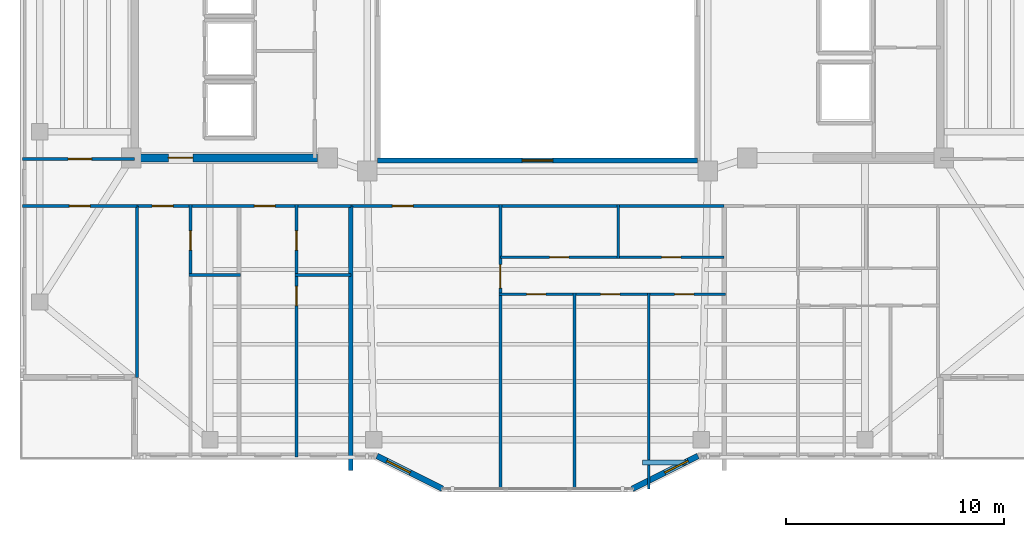
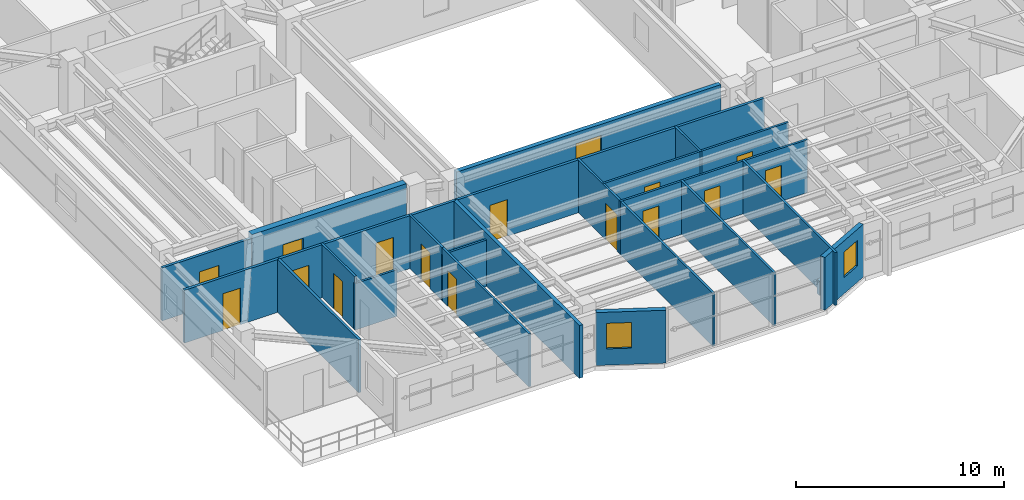
# One storey, part 6 of 15: 23 walls, 15 doors, 3 windows, 18 openings.
"""IFC4 building model written with IfcOpenShell, lengths in metres."""

from ifc_helpers import new_model, si_unit, direction, frame, frame_2d, origin, place, context, subcontext, project, spatial, rectangle, extrude, material, layer, layer_set, type_object, element, fill, save


model = new_model("IFC4")

# Units and contexts
model_context = context("Model", 3, precision=1e-05, world=origin(), true_north=direction((0.0, 1.0)))
body_context = subcontext(model_context, "Body", "Model", "MODEL_VIEW")
ifc_project = project(units=[si_unit("LENGTHUNIT", "METRE"), si_unit("AREAUNIT", "SQUARE_METRE"), si_unit("VOLUMEUNIT", "CUBIC_METRE"), si_unit("PLANEANGLEUNIT", "RADIAN"), si_unit("MASSUNIT", "GRAM", prefix="KILO")], contexts=[model_context])

# Site, building, storey
site_placement = place(None, origin())
site = spatial("IfcSite", under=ifc_project, at=site_placement, CompositionType="ELEMENT")
building_placement = place(site_placement, origin())
building = spatial("IfcBuilding", under=site, at=building_placement, Name="Tarnavaz Court Tower", CompositionType="ELEMENT")
storey_placement = place(building_placement, frame((0.0, 0.0, 186.89990234375)))
storey = spatial("IfcBuildingStorey", under=building, at=storey_placement, Name="L50", CompositionType="ELEMENT", Elevation=186.89990234375)

# Wall, opening, door
ifc_material_1 = material(Name="Concrete C50/60", Category="concrete")
ifc_layer_1 = layer(ifc_material_1, 0.35009765625)
ifc_layer_set_1 = layer_set([ifc_layer_1], Name="Concrete C50/60")
wall_type_1 = type_object("IfcWallType", Name="WL-CORE-350-C50", PredefinedType="SHEAR", material=ifc_layer_set_1)
wall_1_placement = place(storey_placement, frame((-18.625, -7.199951171875, 0.0), z_axis=(0.0, 0.0, 1.0), x_axis=(1.0, 0.0, 0.0)))
wall_1 = element("IfcWall", 1, at=wall_1_placement, inside=storey, type_object=wall_type_1, Name="L50 West Core South Shear Wall 046", PredefinedType="SHEAR", context=body_context, shape_type="SweptSolid", body=[
    extrude(rectangle(XDim=8.550048828125, YDim=0.35009765625, at=frame_2d((4.27490234375, 0.0))), origin(), (0.0, 0.0, 1.0), 3.35009765625),
])
opening_1_placement = place(wall_1_placement, frame((1.72509765625, 0.0, 0.0)))
opening_1 = element("IfcOpeningElement", 2, at=opening_1_placement, cuts=wall_1, Name="Opening D04", PredefinedType="OPENING", context=body_context, shape_type="SweptSolid", body=[
    extrude(rectangle(XDim=1.1201171875, YDim=2.14990234375, at=frame_2d((0.56005859375, 1.074951171875))), frame((0.0, 0.18505859375, 0.0), z_axis=(0.0, -1.0, 0.0), x_axis=(1.0, 0.0, 0.0)), (0.0, 0.0, 1.0), 0.3701171875),
])
ifc_material_2 = material(Name="Fire-Rated Hardwood Timber Core", Category="wood")
door_type_1 = type_object("IfcDoorType", Name="DR-FD60-1100", OperationType="NOTDEFINED", PredefinedType="DOOR", material=ifc_material_2)
door_1_placement = place(opening_1_placement, origin())
door_1 = element("IfcDoor", 3, at=door_1_placement, inside=storey, type_object=door_type_1, Name="L50 West High-Rise Lift Lobby Door", OperationType="SINGLE_SWING_LEFT", OverallHeight=2.14990234375, OverallWidth=1.1201171875, PredefinedType="DOOR", context=body_context, shape_type="SweptSolid", body=[
    extrude(rectangle(XDim=1.1201171875, YDim=2.14990234375, at=frame_2d((0.56005859375, 1.074951171875))), frame((0.0, 0.02490234375, 0.0), z_axis=(0.0, -1.0, 0.0), x_axis=(1.0, 0.0, 0.0)), (0.0, 0.0, 1.0), 0.050048828125),
])
fill(opening_1, door_1)

# Wall, opening, window
ifc_material_3 = material(Name="Precast Concrete C40/50", Category="concrete")
ifc_layer_2 = layer(ifc_material_3, 0.260009765625)
ifc_layer_set_2 = layer_set([ifc_layer_2], Name="Precast Concrete C40/50")
wall_type_2 = type_object("IfcWallType", Name="WL-EXT-260", PredefinedType="SOLIDWALL", material=ifc_layer_set_2)
wall_2_placement = place(storey_placement, frame((7.35009765625, -20.85009765625, 0.0), z_axis=(0.0, 0.0, 1.0), x_axis=(-0.894427191, -0.4472135955, 0.0)))
wall_2 = element("IfcWall", 4, at=wall_2_placement, inside=storey, type_object=wall_type_2, Name="L50 Exterior Terracotta Facade Wall 16", PredefinedType="SOLIDWALL", context=body_context, shape_type="SweptSolid", body=[
    extrude(rectangle(XDim=3.35400390625, YDim=0.260009765625, at=frame_2d((1.677001953125, 0.0))), origin(), (0.0, 0.0, 1.0), 3.10009765625),
])
opening_2_placement = place(wall_2_placement, frame((0.501220703125, 0.0, 0.949951171875)))
opening_2 = element("IfcOpeningElement", 5, at=opening_2_placement, cuts=wall_2, Name="Opening W05", PredefinedType="OPENING", context=body_context, shape_type="SweptSolid", body=[
    extrude(rectangle(XDim=1.199951171875, YDim=1.5, at=frame_2d((0.60009765625, 0.75))), frame((0.0, 0.139892578125, 0.0), z_axis=(0.0, -1.0, 0.0), x_axis=(1.0, 0.0, 0.0)), (0.0, 0.0, 1.0), 0.280029296875),
])
ifc_material_4 = material(Name="Double-Glazed Solar Low-E Glass", Category="glass")
window_type_1 = type_object("IfcWindowType", Name="WN-APT-1200", PartitioningType="SINGLE_PANEL", PredefinedType="WINDOW", material=ifc_material_4)
window_1_placement = place(opening_2_placement, origin())
window_1 = element("IfcWindow", 6, at=window_1_placement, inside=storey, type_object=window_type_1, Name="L50 Flat 04 Bedroom 3 Window", OverallHeight=1.5, OverallWidth=1.199951171875, PartitioningType="SINGLE_PANEL", PredefinedType="WINDOW", context=body_context, shape_type="SweptSolid", body=[
    extrude(rectangle(XDim=1.199951171875, YDim=1.5, at=frame_2d((0.60009765625, 0.75))), frame((0.0, 0.030029296875, 0.0), z_axis=(0.0, -1.0, 0.0), x_axis=(1.0, 0.0, 0.0)), (0.0, 0.0, 1.0), 0.06005859375),
])
fill(opening_2, window_1)

wall_3_placement = place(storey_placement, frame((-4.35009765625, -22.35009765625, 0.0), z_axis=(0.0, 0.0, 1.0), x_axis=(-0.894427191, 0.4472135955, 0.0)))
wall_3 = element("IfcWall", 7, at=wall_3_placement, inside=storey, type_object=wall_type_2, Name="L50 Exterior Terracotta Facade Wall 18", PredefinedType="SOLIDWALL", context=body_context, shape_type="SweptSolid", body=[
    extrude(rectangle(XDim=3.35400390625, YDim=0.260009765625, at=frame_2d((1.677001953125, 0.0))), origin(), (0.0, 0.0, 1.0), 3.10009765625),
])
opening_3_placement = place(wall_3_placement, frame((1.65283203125, 0.0, 0.949951171875)))
opening_3 = element("IfcOpeningElement", 8, at=opening_3_placement, cuts=wall_3, Name="Opening W05", PredefinedType="OPENING", context=body_context, shape_type="SweptSolid", body=[
    extrude(rectangle(XDim=1.199951171875, YDim=1.5, at=frame_2d((0.60009765625, 0.75))), frame((0.0, 0.139892578125, 0.0), z_axis=(0.0, -1.0, 0.0), x_axis=(1.0, 0.0, 0.0)), (0.0, 0.0, 1.0), 0.280029296875),
])
window_2_placement = place(opening_3_placement, origin())
window_2 = element("IfcWindow", 9, at=window_2_placement, inside=storey, type_object=window_type_1, Name="L50 Flat 04 Living and Dining Room Window", OverallHeight=1.5, OverallWidth=1.199951171875, PartitioningType="SINGLE_PANEL", PredefinedType="WINDOW", context=body_context, shape_type="SweptSolid", body=[
    extrude(rectangle(XDim=1.199951171875, YDim=1.5, at=frame_2d((0.60009765625, 0.75))), frame((0.0, 0.030029296875, 0.0), z_axis=(0.0, -1.0, 0.0), x_axis=(1.0, 0.0, 0.0)), (0.0, 0.0, 1.0), 0.06005859375),
])
fill(opening_3, window_2)

# Wall, openings, doors
ifc_material_5 = material(Name="Gypsum Fire-Board on Acoustic Metal Stud", Category="masonry")
ifc_layer_3 = layer(ifc_material_5, 0.14990234375)
ifc_layer_set_3 = layer_set([ifc_layer_3], Name="Gypsum Fire-Board on Acoustic Metal Stud")
wall_type_3 = type_object("IfcWallType", Name="WL-FIRE-150", PredefinedType="PARTITIONING", material=ifc_layer_set_3)
wall_4_placement = place(storey_placement, frame((-18.35009765625, -9.39990234375, 0.0), z_axis=(0.0, 0.0, 1.0), x_axis=(1.0, 0.0, 0.0)))
wall_4 = element("IfcWall", 10, at=wall_4_placement, inside=storey, type_object=wall_type_3, Name="L50 SW Lobby Wall 058", PredefinedType="PARTITIONING", context=body_context, shape_type="SweptSolid", body=[
    extrude(rectangle(XDim=9.800048828125, YDim=0.14990234375, at=frame_2d((4.89990234375, 0.0))), origin(), (0.0, 0.0, 1.0), 3.10009765625),
])
opening_4_placement = place(wall_4_placement, frame((0.699951171875, 0.0, 0.0)))
opening_4 = element("IfcOpeningElement", 11, at=opening_4_placement, cuts=wall_4, Name="Opening D06", PredefinedType="OPENING", context=body_context, shape_type="SweptSolid", body=[
    extrude(rectangle(XDim=0.9599609375, YDim=2.14990234375, at=frame_2d((0.47998046875, 1.074951171875))), frame((0.0, 0.0849609375, 0.0), z_axis=(0.0, -1.0, 0.0), x_axis=(1.0, 0.0, 0.0)), (0.0, 0.0, 1.0), 0.169921875),
])
opening_5_placement = place(wall_4_placement, frame((5.3798828125, 0.0, 0.0)))
opening_5 = element("IfcOpeningElement", 12, at=opening_5_placement, cuts=wall_4, Name="Opening D06", PredefinedType="OPENING", context=body_context, shape_type="SweptSolid", body=[
    extrude(rectangle(XDim=0.9599609375, YDim=2.14990234375, at=frame_2d((0.47998046875, 1.074951171875))), frame((0.0, 0.0849609375, 0.0), z_axis=(0.0, -1.0, 0.0), x_axis=(1.0, 0.0, 0.0)), (0.0, 0.0, 1.0), 0.169921875),
])
door_type_2 = type_object("IfcDoorType", Name="DR-FD60-950", OperationType="NOTDEFINED", PredefinedType="DOOR", material=ifc_material_2)
door_2_placement = place(opening_4_placement, origin())
door_2 = element("IfcDoor", 13, at=door_2_placement, inside=storey, type_object=door_type_2, Name="L50 Flat 01 Entrance Door", OperationType="SINGLE_SWING_RIGHT", OverallHeight=2.14990234375, OverallWidth=0.9599609375, PredefinedType="DOOR", context=body_context, shape_type="SweptSolid", body=[
    extrude(rectangle(XDim=0.9599609375, YDim=2.14990234375, at=frame_2d((0.47998046875, 1.074951171875))), frame((0.0, 0.02490234375, 0.0), z_axis=(0.0, -1.0, 0.0), x_axis=(1.0, 0.0, 0.0)), (0.0, 0.0, 1.0), 0.050048828125),
])
fill(opening_4, door_2)
door_3_placement = place(opening_5_placement, origin())
door_3 = element("IfcDoor", 14, at=door_3_placement, inside=storey, type_object=door_type_2, Name="L50 Flat 02 Entrance Door", OperationType="SINGLE_SWING_LEFT", OverallHeight=2.14990234375, OverallWidth=0.9599609375, PredefinedType="DOOR", context=body_context, shape_type="SweptSolid", body=[
    extrude(rectangle(XDim=0.9599609375, YDim=2.14990234375, at=frame_2d((0.47998046875, 1.074951171875))), frame((0.0, 0.02490234375, 0.0), z_axis=(0.0, -1.0, 0.0), x_axis=(1.0, 0.0, 0.0)), (0.0, 0.0, 1.0), 0.050048828125),
])
fill(opening_5, door_3)

# Wall, opening, door
wall_5_placement = place(storey_placement, frame((-8.550048828125, -9.39990234375, 0.0), z_axis=(0.0, 0.0, 1.0), x_axis=(1.0, 0.0, 0.0)))
wall_5 = element("IfcWall", 15, at=wall_5_placement, inside=storey, type_object=wall_type_3, Name="L50 Interior Partition 083", PredefinedType="PARTITIONING", context=body_context, shape_type="SweptSolid", body=[
    extrude(rectangle(XDim=17.10009765625, YDim=0.14990234375, at=frame_2d((8.550048828125, 0.0))), origin(), (0.0, 0.0, 1.0), 3.10009765625),
])
opening_6_placement = place(wall_5_placement, frame((1.89990234375, 0.0, 0.0)))
opening_6 = element("IfcOpeningElement", 16, at=opening_6_placement, cuts=wall_5, Name="Opening D06", PredefinedType="OPENING", context=body_context, shape_type="SweptSolid", body=[
    extrude(rectangle(XDim=0.9599609375, YDim=2.14990234375, at=frame_2d((0.47998046875, 1.074951171875))), frame((0.0, 0.0849609375, 0.0), z_axis=(0.0, -1.0, 0.0), x_axis=(1.0, 0.0, 0.0)), (0.0, 0.0, 1.0), 0.169921875),
])
door_4_placement = place(opening_6_placement, origin())
door_4 = element("IfcDoor", 17, at=door_4_placement, inside=storey, type_object=door_type_2, Name="L50 Flat 04 Entrance Door", OperationType="SINGLE_SWING_LEFT", OverallHeight=2.14990234375, OverallWidth=0.9599609375, PredefinedType="DOOR", context=body_context, shape_type="SweptSolid", body=[
    extrude(rectangle(XDim=0.9599609375, YDim=2.14990234375, at=frame_2d((0.47998046875, 1.074951171875))), frame((0.0, 0.02490234375, 0.0), z_axis=(0.0, -1.0, 0.0), x_axis=(1.0, 0.0, 0.0)), (0.0, 0.0, 1.0), 0.050048828125),
])
fill(opening_6, door_4)

wall_6_placement = place(storey_placement, frame((-23.580078125, -7.25, 0.0), z_axis=(0.0, 0.0, 1.0), x_axis=(1.0, 0.0, 0.0)))
wall_6 = element("IfcWall", 18, at=wall_6_placement, inside=storey, type_object=wall_type_3, Name="L50 Interior Partition 091", PredefinedType="PARTITIONING", context=body_context, shape_type="SweptSolid", body=[
    extrude(rectangle(XDim=5.130126953125, YDim=0.14990234375, at=frame_2d((2.56494140625, 0.0))), origin(), (0.0, 0.0, 1.0), 3.10009765625),
])
opening_7_placement = place(wall_6_placement, frame((2.080078125, 0.0, 0.0)))
opening_7 = element("IfcOpeningElement", 19, at=opening_7_placement, cuts=wall_6, Name="Opening D12", PredefinedType="OPENING", context=body_context, shape_type="SweptSolid", body=[
    extrude(rectangle(XDim=1.080078125, YDim=2.14990234375, at=frame_2d((0.5400390625, 1.074951171875))), frame((0.0, 0.0849609375, 0.0), z_axis=(0.0, -1.0, 0.0), x_axis=(1.0, 0.0, 0.0)), (0.0, 0.0, 1.0), 0.169921875),
])
ifc_material_6 = material(Name="Engineered Oak Timber", Category="wood")
door_type_3 = type_object("IfcDoorType", Name="DR-INT-1100", OperationType="NOTDEFINED", PredefinedType="DOOR", material=ifc_material_6)
door_5_placement = place(opening_7_placement, origin())
door_5 = element("IfcDoor", 20, at=door_5_placement, inside=storey, type_object=door_type_3, Name="L50 West Meeting Lounge Door", OperationType="SINGLE_SWING_RIGHT", OverallHeight=2.14990234375, OverallWidth=1.080078125, PredefinedType="DOOR", context=body_context, shape_type="SweptSolid", body=[
    extrude(rectangle(XDim=1.080078125, YDim=2.14990234375, at=frame_2d((0.5400390625, 1.074951171875))), frame((0.0, 0.02490234375, 0.0), z_axis=(0.0, -1.0, 0.0), x_axis=(1.0, 0.0, 0.0)), (0.0, 0.0, 1.0), 0.050048828125),
])
fill(opening_7, door_5)

wall_7_placement = place(storey_placement, frame((-23.580078125, -9.39990234375, 0.0), z_axis=(0.0, 0.0, 1.0), x_axis=(1.0, 0.0, 0.0)))
wall_7 = element("IfcWall", 21, at=wall_7_placement, inside=storey, type_object=wall_type_3, Name="L50 Interior Partition 101", PredefinedType="PARTITIONING", context=body_context, shape_type="SweptSolid", body=[
    extrude(rectangle(XDim=5.22998046875, YDim=0.14990234375, at=frame_2d((2.614990234375, 0.0))), origin(), (0.0, 0.0, 1.0), 3.10009765625),
])
opening_8_placement = place(wall_7_placement, frame((2.139892578125, 0.0, 0.0)))
opening_8 = element("IfcOpeningElement", 22, at=opening_8_placement, cuts=wall_7, Name="Opening D13", PredefinedType="OPENING", context=body_context, shape_type="SweptSolid", body=[
    extrude(rectangle(XDim=0.949951171875, YDim=2.14990234375, at=frame_2d((0.47509765625, 1.074951171875))), frame((0.0, 0.0849609375, 0.0), z_axis=(0.0, -1.0, 0.0), x_axis=(1.0, 0.0, 0.0)), (0.0, 0.0, 1.0), 0.169921875),
])
door_type_4 = type_object("IfcDoorType", Name="DR-INT-950", OperationType="NOTDEFINED", PredefinedType="DOOR", material=ifc_material_6)
door_6_placement = place(opening_8_placement, origin())
door_6 = element("IfcDoor", 23, at=door_6_placement, inside=storey, type_object=door_type_4, Name="L50 SW Reading Room Door", OperationType="SINGLE_SWING_RIGHT", OverallHeight=2.14990234375, OverallWidth=0.949951171875, PredefinedType="DOOR", context=body_context, shape_type="SweptSolid", body=[
    extrude(rectangle(XDim=0.949951171875, YDim=2.14990234375, at=frame_2d((0.47509765625, 1.074951171875))), frame((0.0, 0.02490234375, 0.0), z_axis=(0.0, -1.0, 0.0), x_axis=(1.0, 0.0, 0.0)), (0.0, 0.0, 1.0), 0.050048828125),
])
fill(opening_8, door_6)

# Walls
ifc_material_7 = material(Name="Autoclaved Aerated Concrete Blockwork", Category="masonry")
ifc_layer_4 = layer(ifc_material_7, 0.199951171875)
ifc_layer_set_4 = layer_set([ifc_layer_4], Name="Autoclaved Aerated Concrete Blockwork")
wall_type_4 = type_object("IfcWallType", Name="WL-FIRE-200", PredefinedType="SOLIDWALL", material=ifc_layer_set_4)
wall_8_placement = place(storey_placement, frame((-8.550048828125, -21.50390625, 0.0), z_axis=(0.0, 0.0, 1.0), x_axis=(0.0, 1.0, 0.0)))
element("IfcWall", 24, at=wall_8_placement, inside=storey, type_object=wall_type_4, Name="L50 Party Wall 081", PredefinedType="SOLIDWALL", context=body_context, shape_type="SweptSolid", body=[
    extrude(rectangle(XDim=12.10400390625, YDim=0.199951171875, at=frame_2d((6.052001953125, 0.0))), origin(), (0.0, 0.0, 1.0), 3.10009765625),
])
ifc_layer_5 = layer(ifc_material_3, 0.219970703125)
ifc_layer_set_5 = layer_set([ifc_layer_5], Name="Precast Concrete C40/50")
wall_type_5 = type_object("IfcWallType", Name="WL-PARAPET-220", PredefinedType="PARAPET", material=ifc_layer_set_5)
wall_9_placement = place(storey_placement, frame((4.800048828125, -21.14990234375, 0.0), z_axis=(0.0, 0.0, 1.0), x_axis=(1.0, 0.0, 0.0)))
element("IfcWall", 25, at=wall_9_placement, inside=storey, type_object=wall_type_5, Name="L50 South Prow Terracotta Parapet Upstand", PredefinedType="PARAPET", context=body_context, shape_type="SweptSolid", body=[
    extrude(rectangle(XDim=2.0, YDim=0.219970703125, at=frame_2d((1.0, 0.0))), origin(), (0.0, 0.0, 1.0), 0.85009765625),
])

# Wall, opening, door
ifc_material_8 = material(Name="Moisture-Resistant Gypsum Board Partition", Category="masonry")
ifc_layer_6 = layer(ifc_material_8, 0.1201171875)
ifc_layer_set_6 = layer_set([ifc_layer_6], Name="Moisture-Resistant Gypsum Board Partition")
wall_type_6 = type_object("IfcWallType", Name="WL-PART-120", PredefinedType="PARTITIONING", material=ifc_layer_set_6)
wall_10_placement = place(storey_placement, frame((-15.889892578125, -12.56005859375, 0.0), z_axis=(0.0, 0.0, 1.0), x_axis=(0.0, 1.0, 0.0)))
wall_10 = element("IfcWall", 26, at=wall_10_placement, inside=storey, type_object=wall_type_6, Name="L50 Interior Partition 069", PredefinedType="PARTITIONING", context=body_context, shape_type="SweptSolid", body=[
    extrude(rectangle(XDim=3.219970703125, YDim=0.1201171875, at=frame_2d((1.60986328125, 0.0))), origin(), (0.0, 0.0, 1.0), 3.10009765625),
])
opening_9_placement = place(wall_10_placement, frame((1.139892578125, 0.0, 0.0)))
opening_9 = element("IfcOpeningElement", 27, at=opening_9_placement, cuts=wall_10, Name="Opening D14", PredefinedType="OPENING", context=body_context, shape_type="SweptSolid", body=[
    extrude(rectangle(XDim=0.8798828125, YDim=2.10009765625, at=frame_2d((0.43994140625, 1.050048828125))), frame((0.0, 0.070068359375, 0.0), z_axis=(0.0, -1.0, 0.0), x_axis=(1.0, 0.0, 0.0)), (0.0, 0.0, 1.0), 0.14013671875),
])
door_type_5 = type_object("IfcDoorType", Name="DR-INT-900", OperationType="NOTDEFINED", PredefinedType="DOOR", material=ifc_material_6)
door_7_placement = place(opening_9_placement, origin())
door_7 = element("IfcDoor", 28, at=door_7_placement, inside=storey, type_object=door_type_5, Name="L50 Flat 01 Bathroom Door", OperationType="SINGLE_SWING_RIGHT", OverallHeight=2.10009765625, OverallWidth=0.8798828125, PredefinedType="DOOR", context=body_context, shape_type="SweptSolid", body=[
    extrude(rectangle(XDim=0.8798828125, YDim=2.10009765625, at=frame_2d((0.43994140625, 1.050048828125))), frame((0.0, 0.02490234375, 0.0), z_axis=(0.0, -1.0, 0.0), x_axis=(1.0, 0.0, 0.0)), (0.0, 0.0, 1.0), 0.050048828125),
])
fill(opening_9, door_7)

# Wall
wall_11_placement = place(storey_placement, frame((-15.949951171875, -12.56005859375, 0.0), z_axis=(0.0, 0.0, 1.0), x_axis=(1.0, 0.0, 0.0)))
element("IfcWall", 29, at=wall_11_placement, inside=storey, type_object=wall_type_6, Name="L50 Interior Partition 070", PredefinedType="PARTITIONING", context=body_context, shape_type="SweptSolid", body=[
    extrude(rectangle(XDim=2.33984375, YDim=0.1201171875, at=frame_2d((1.169921875, 0.0))), origin(), (0.0, 0.0, 1.0), 2.72509765625),
])

# Wall, opening, door
wall_12_placement = place(storey_placement, frame((-11.035888671875, -20.89990234375, 0.0), z_axis=(0.0, 0.0, 1.0), x_axis=(0.0, 1.0, 0.0)))
wall_12 = element("IfcWall", 30, at=wall_12_placement, inside=storey, type_object=wall_type_6, Name="L50 Interior Partition 071", PredefinedType="PARTITIONING", context=body_context, shape_type="SweptSolid", body=[
    extrude(rectangle(XDim=8.33984375, YDim=0.1201171875, at=frame_2d((4.169921875, 0.0))), origin(), (0.0, 0.0, 1.0), 3.10009765625),
])
opening_10_placement = place(wall_12_placement, frame((6.93994140625, 0.0, 0.0)))
opening_10 = element("IfcOpeningElement", 31, at=opening_10_placement, cuts=wall_12, Name="Opening D14", PredefinedType="OPENING", context=body_context, shape_type="SweptSolid", body=[
    extrude(rectangle(XDim=0.8798828125, YDim=2.10009765625, at=frame_2d((0.43994140625, 1.050048828125))), frame((0.0, 0.070068359375, 0.0), z_axis=(0.0, -1.0, 0.0), x_axis=(1.0, 0.0, 0.0)), (0.0, 0.0, 1.0), 0.14013671875),
])
door_8_placement = place(opening_10_placement, origin())
door_8 = element("IfcDoor", 32, at=door_8_placement, inside=storey, type_object=door_type_5, Name="L50 Flat 02 Kitchen Door", OperationType="SINGLE_SWING_RIGHT", OverallHeight=2.10009765625, OverallWidth=0.8798828125, PredefinedType="DOOR", context=body_context, shape_type="SweptSolid", body=[
    extrude(rectangle(XDim=0.8798828125, YDim=2.10009765625, at=frame_2d((0.43994140625, 1.050048828125))), frame((0.0, 0.02490234375, 0.0), z_axis=(0.0, -1.0, 0.0), x_axis=(1.0, 0.0, 0.0)), (0.0, 0.0, 1.0), 0.050048828125),
])
fill(opening_10, door_8)

wall_13_placement = place(storey_placement, frame((-11.035888671875, -12.56005859375, 0.0), z_axis=(0.0, 0.0, 1.0), x_axis=(0.0, 1.0, 0.0)))
wall_13 = element("IfcWall", 33, at=wall_13_placement, inside=storey, type_object=wall_type_6, Name="L50 Interior Partition 072", PredefinedType="PARTITIONING", context=body_context, shape_type="SweptSolid", body=[
    extrude(rectangle(XDim=3.219970703125, YDim=0.1201171875, at=frame_2d((1.60986328125, 0.0))), origin(), (0.0, 0.0, 1.0), 3.10009765625),
])
opening_11_placement = place(wall_13_placement, frame((1.139892578125, 0.0, 0.0)))
opening_11 = element("IfcOpeningElement", 34, at=opening_11_placement, cuts=wall_13, Name="Opening D14", PredefinedType="OPENING", context=body_context, shape_type="SweptSolid", body=[
    extrude(rectangle(XDim=0.8798828125, YDim=2.10009765625, at=frame_2d((0.43994140625, 1.050048828125))), frame((0.0, 0.070068359375, 0.0), z_axis=(0.0, -1.0, 0.0), x_axis=(1.0, 0.0, 0.0)), (0.0, 0.0, 1.0), 0.14013671875),
])
door_9_placement = place(opening_11_placement, origin())
door_9 = element("IfcDoor", 35, at=door_9_placement, inside=storey, type_object=door_type_5, Name="L50 Flat 02 Bathroom Door", OperationType="SINGLE_SWING_LEFT", OverallHeight=2.10009765625, OverallWidth=0.8798828125, PredefinedType="DOOR", context=body_context, shape_type="SweptSolid", body=[
    extrude(rectangle(XDim=0.8798828125, YDim=2.10009765625, at=frame_2d((0.43994140625, 1.050048828125))), frame((0.0, 0.02490234375, 0.0), z_axis=(0.0, -1.0, 0.0), x_axis=(1.0, 0.0, 0.0)), (0.0, 0.0, 1.0), 0.050048828125),
])
fill(opening_11, door_9)

# Wall
wall_14_placement = place(storey_placement, frame((-11.095947265625, -12.56005859375, 0.0), z_axis=(0.0, 0.0, 1.0), x_axis=(1.0, 0.0, 0.0)))
element("IfcWall", 36, at=wall_14_placement, inside=storey, type_object=wall_type_6, Name="L50 Interior Partition 073", PredefinedType="PARTITIONING", context=body_context, shape_type="SweptSolid", body=[
    extrude(rectangle(XDim=2.555908203125, YDim=0.1201171875, at=frame_2d((1.27783203125, 0.0))), origin(), (0.0, 0.0, 1.0), 2.72509765625),
])

# Wall, opening, door
wall_15_placement = place(storey_placement, frame((-1.696044921875, -22.3798828125, 0.0), z_axis=(0.0, 0.0, 1.0), x_axis=(0.0, 1.0, 0.0)))
wall_15 = element("IfcWall", 37, at=wall_15_placement, inside=storey, type_object=wall_type_6, Name="L50 Interior Partition 084", PredefinedType="PARTITIONING", context=body_context, shape_type="SweptSolid", body=[
    extrude(rectangle(XDim=13.039794921875, YDim=0.1201171875, at=frame_2d((6.52001953125, 0.0))), origin(), (0.0, 0.0, 1.0), 3.10009765625),
])
opening_12_placement = place(wall_15_placement, frame((9.215087890625, 0.0, 0.0)))
opening_12 = element("IfcOpeningElement", 38, at=opening_12_placement, cuts=wall_15, Name="Opening D12", PredefinedType="OPENING", context=body_context, shape_type="SweptSolid", body=[
    extrude(rectangle(XDim=1.080078125, YDim=2.14990234375, at=frame_2d((0.5400390625, 1.074951171875))), frame((0.0, 0.070068359375, 0.0), z_axis=(0.0, -1.0, 0.0), x_axis=(1.0, 0.0, 0.0)), (0.0, 0.0, 1.0), 0.14013671875),
])
door_10_placement = place(opening_12_placement, origin())
door_10 = element("IfcDoor", 39, at=door_10_placement, inside=storey, type_object=door_type_3, Name="L50 Flat 04 Foyer Door", OperationType="SINGLE_SWING_RIGHT", OverallHeight=2.14990234375, OverallWidth=1.080078125, PredefinedType="DOOR", context=body_context, shape_type="SweptSolid", body=[
    extrude(rectangle(XDim=1.080078125, YDim=2.14990234375, at=frame_2d((0.5400390625, 1.074951171875))), frame((0.0, 0.02490234375, 0.0), z_axis=(0.0, -1.0, 0.0), x_axis=(1.0, 0.0, 0.0)), (0.0, 0.0, 1.0), 0.050048828125),
])
fill(opening_12, door_10)

wall_16_placement = place(storey_placement, frame((-1.696044921875, -11.739990234375, 0.0), z_axis=(0.0, 0.0, 1.0), x_axis=(1.0, 0.0, 0.0)))
wall_16 = element("IfcWall", 40, at=wall_16_placement, inside=storey, type_object=wall_type_6, Name="L50 Interior Partition 085", PredefinedType="PARTITIONING", context=body_context, shape_type="SweptSolid", body=[
    extrude(rectangle(XDim=5.39306640625, YDim=0.1201171875, at=frame_2d((2.696533203125, 0.0))), origin(), (0.0, 0.0, 1.0), 3.10009765625),
])
opening_13_placement = place(wall_16_placement, frame((2.256103515625, 0.0, 0.0)))
opening_13 = element("IfcOpeningElement", 41, at=opening_13_placement, cuts=wall_16, Name="Opening D14", PredefinedType="OPENING", context=body_context, shape_type="SweptSolid", body=[
    extrude(rectangle(XDim=0.8798828125, YDim=2.10009765625, at=frame_2d((0.43994140625, 1.050048828125))), frame((0.0, 0.070068359375, 0.0), z_axis=(0.0, -1.0, 0.0), x_axis=(1.0, 0.0, 0.0)), (0.0, 0.0, 1.0), 0.14013671875),
])
door_11_placement = place(opening_13_placement, origin())
door_11 = element("IfcDoor", 42, at=door_11_placement, inside=storey, type_object=door_type_5, Name="L50 Flat 04 Kitchen Door", OperationType="SINGLE_SWING_LEFT", OverallHeight=2.10009765625, OverallWidth=0.8798828125, PredefinedType="DOOR", context=body_context, shape_type="SweptSolid", body=[
    extrude(rectangle(XDim=0.8798828125, YDim=2.10009765625, at=frame_2d((0.43994140625, 1.050048828125))), frame((0.0, 0.02490234375, 0.0), z_axis=(0.0, -1.0, 0.0), x_axis=(1.0, 0.0, 0.0)), (0.0, 0.0, 1.0), 0.050048828125),
])
fill(opening_13, door_11)

wall_17_placement = place(storey_placement, frame((3.697021484375, -11.739990234375, 0.0), z_axis=(0.0, 0.0, 1.0), x_axis=(1.0, 0.0, 0.0)))
wall_17 = element("IfcWall", 43, at=wall_17_placement, inside=storey, type_object=wall_type_6, Name="L50 Interior Partition 086", PredefinedType="PARTITIONING", context=body_context, shape_type="SweptSolid", body=[
    extrude(rectangle(XDim=4.85302734375, YDim=0.1201171875, at=frame_2d((2.426513671875, 0.0))), origin(), (0.0, 0.0, 1.0), 3.10009765625),
])
opening_14_placement = place(wall_17_placement, frame((1.987060546875, 0.0, 0.0)))
opening_14 = element("IfcOpeningElement", 44, at=opening_14_placement, cuts=wall_17, Name="Opening D14", PredefinedType="OPENING", context=body_context, shape_type="SweptSolid", body=[
    extrude(rectangle(XDim=0.8798828125, YDim=2.10009765625, at=frame_2d((0.43994140625, 1.050048828125))), frame((0.0, 0.070068359375, 0.0), z_axis=(0.0, -1.0, 0.0), x_axis=(1.0, 0.0, 0.0)), (0.0, 0.0, 1.0), 0.14013671875),
])
door_12_placement = place(opening_14_placement, origin())
door_12 = element("IfcDoor", 45, at=door_12_placement, inside=storey, type_object=door_type_5, Name="L50 Flat 04 Bathroom Door", OperationType="SINGLE_SWING_RIGHT", OverallHeight=2.10009765625, OverallWidth=0.8798828125, PredefinedType="DOOR", context=body_context, shape_type="SweptSolid", body=[
    extrude(rectangle(XDim=0.8798828125, YDim=2.10009765625, at=frame_2d((0.43994140625, 1.050048828125))), frame((0.0, 0.02490234375, 0.0), z_axis=(0.0, -1.0, 0.0), x_axis=(1.0, 0.0, 0.0)), (0.0, 0.0, 1.0), 0.050048828125),
])
fill(opening_14, door_12)

# Wall, openings, doors
wall_18_placement = place(storey_placement, frame((-1.756103515625, -13.449951171875, 0.0), z_axis=(0.0, 0.0, 1.0), x_axis=(1.0, 0.0, 0.0)))
wall_18 = element("IfcWall", 46, at=wall_18_placement, inside=storey, type_object=wall_type_6, Name="L50 Interior Partition 087", PredefinedType="PARTITIONING", context=body_context, shape_type="SweptSolid", body=[
    extrude(rectangle(XDim=10.3662109375, YDim=0.1201171875, at=frame_2d((5.18310546875, 0.0))), origin(), (0.0, 0.0, 1.0), 3.10009765625),
])
opening_15_placement = place(wall_18_placement, frame((1.256103515625, 0.0, 0.0)))
opening_15 = element("IfcOpeningElement", 47, at=opening_15_placement, cuts=wall_18, Name="Opening D14", PredefinedType="OPENING", context=body_context, shape_type="SweptSolid", body=[
    extrude(rectangle(XDim=0.8798828125, YDim=2.10009765625, at=frame_2d((0.43994140625, 1.050048828125))), frame((0.0, 0.070068359375, 0.0), z_axis=(0.0, -1.0, 0.0), x_axis=(1.0, 0.0, 0.0)), (0.0, 0.0, 1.0), 0.14013671875),
])
opening_16_placement = place(wall_18_placement, frame((4.64794921875, 0.0, 0.0)))
opening_16 = element("IfcOpeningElement", 48, at=opening_16_placement, cuts=wall_18, Name="Opening D14", PredefinedType="OPENING", context=body_context, shape_type="SweptSolid", body=[
    extrude(rectangle(XDim=0.8798828125, YDim=2.10009765625, at=frame_2d((0.43994140625, 1.050048828125))), frame((0.0, 0.070068359375, 0.0), z_axis=(0.0, -1.0, 0.0), x_axis=(1.0, 0.0, 0.0)), (0.0, 0.0, 1.0), 0.14013671875),
])
opening_17_placement = place(wall_18_placement, frame((8.0400390625, 0.0, 0.0)))
opening_17 = element("IfcOpeningElement", 49, at=opening_17_placement, cuts=wall_18, Name="Opening D14", PredefinedType="OPENING", context=body_context, shape_type="SweptSolid", body=[
    extrude(rectangle(XDim=0.8798828125, YDim=2.10009765625, at=frame_2d((0.43994140625, 1.050048828125))), frame((0.0, 0.070068359375, 0.0), z_axis=(0.0, -1.0, 0.0), x_axis=(1.0, 0.0, 0.0)), (0.0, 0.0, 1.0), 0.14013671875),
])
door_13_placement = place(opening_15_placement, origin())
door_13 = element("IfcDoor", 50, at=door_13_placement, inside=storey, type_object=door_type_5, Name="L50 Flat 04 Bedroom 1 Door", OperationType="SINGLE_SWING_LEFT", OverallHeight=2.10009765625, OverallWidth=0.8798828125, PredefinedType="DOOR", context=body_context, shape_type="SweptSolid", body=[
    extrude(rectangle(XDim=0.8798828125, YDim=2.10009765625, at=frame_2d((0.43994140625, 1.050048828125))), frame((0.0, 0.02490234375, 0.0), z_axis=(0.0, -1.0, 0.0), x_axis=(1.0, 0.0, 0.0)), (0.0, 0.0, 1.0), 0.050048828125),
])
fill(opening_15, door_13)
door_14_placement = place(opening_16_placement, origin())
door_14 = element("IfcDoor", 51, at=door_14_placement, inside=storey, type_object=door_type_5, Name="L50 Flat 04 Bedroom 2 Door", OperationType="SINGLE_SWING_RIGHT", OverallHeight=2.10009765625, OverallWidth=0.8798828125, PredefinedType="DOOR", context=body_context, shape_type="SweptSolid", body=[
    extrude(rectangle(XDim=0.8798828125, YDim=2.10009765625, at=frame_2d((0.43994140625, 1.050048828125))), frame((0.0, 0.02490234375, 0.0), z_axis=(0.0, -1.0, 0.0), x_axis=(1.0, 0.0, 0.0)), (0.0, 0.0, 1.0), 0.050048828125),
])
fill(opening_16, door_14)
door_15_placement = place(opening_17_placement, origin())
door_15 = element("IfcDoor", 52, at=door_15_placement, inside=storey, type_object=door_type_5, Name="L50 Flat 04 Bedroom 3 Door", OperationType="SINGLE_SWING_LEFT", OverallHeight=2.10009765625, OverallWidth=0.8798828125, PredefinedType="DOOR", context=body_context, shape_type="SweptSolid", body=[
    extrude(rectangle(XDim=0.8798828125, YDim=2.10009765625, at=frame_2d((0.43994140625, 1.050048828125))), frame((0.0, 0.02490234375, 0.0), z_axis=(0.0, -1.0, 0.0), x_axis=(1.0, 0.0, 0.0)), (0.0, 0.0, 1.0), 0.050048828125),
])
fill(opening_17, door_15)

# Walls
wall_19_placement = place(storey_placement, frame((3.697021484375, -11.800048828125, 0.0), z_axis=(0.0, 0.0, 1.0), x_axis=(0.0, 1.0, 0.0)))
element("IfcWall", 53, at=wall_19_placement, inside=storey, type_object=wall_type_6, Name="L50 Interior Partition 088", PredefinedType="PARTITIONING", context=body_context, shape_type="SweptSolid", body=[
    extrude(rectangle(XDim=2.4599609375, YDim=0.1201171875, at=frame_2d((1.22998046875, 0.0))), origin(), (0.0, 0.0, 1.0), 3.10009765625),
])
wall_20_placement = place(storey_placement, frame((1.696044921875, -22.3798828125, 0.0), z_axis=(0.0, 0.0, 1.0), x_axis=(0.0, 1.0, 0.0)))
element("IfcWall", 54, at=wall_20_placement, inside=storey, type_object=wall_type_6, Name="L50 Interior Partition 089", PredefinedType="PARTITIONING", context=body_context, shape_type="SweptSolid", body=[
    extrude(rectangle(XDim=8.989990234375, YDim=0.1201171875, at=frame_2d((4.4951171875, 0.0))), origin(), (0.0, 0.0, 1.0), 3.10009765625),
])
wall_21_placement = place(storey_placement, frame((5.087890625, -22.35791015625, 0.0), z_axis=(0.0, 0.0, 1.0), x_axis=(0.0, 1.0, 0.0)))
element("IfcWall", 55, at=wall_21_placement, inside=storey, type_object=wall_type_6, Name="L50 Interior Partition 090", PredefinedType="PARTITIONING", context=body_context, shape_type="SweptSolid", body=[
    extrude(rectangle(XDim=8.968017578125, YDim=0.1201171875, at=frame_2d((4.48388671875, 0.0))), origin(), (0.0, 0.0, 1.0), 3.10009765625),
])
ifc_material_9 = material(Name="Gypsum Plasterboard Acoustic Partition", Category="masonry")
ifc_layer_7 = layer(ifc_material_9, 0.139892578125)
ifc_layer_set_7 = layer_set([ifc_layer_7], Name="Gypsum Plasterboard Acoustic Partition")
wall_type_7 = type_object("IfcWallType", Name="WL-PART-150", PredefinedType="PARTITIONING", material=ifc_layer_set_7)
wall_22_placement = place(storey_placement, frame((-18.35009765625, -17.25, 0.0), z_axis=(0.0, 0.0, 1.0), x_axis=(0.0, 1.0, 0.0)))
element("IfcWall", 56, at=wall_22_placement, inside=storey, type_object=wall_type_7, Name="L50 Interior Partition 095", PredefinedType="PARTITIONING", context=body_context, shape_type="SweptSolid", body=[
    extrude(rectangle(XDim=7.85009765625, YDim=0.139892578125, at=frame_2d((3.925048828125, 0.0))), origin(), (0.0, 0.0, 1.0), 3.10009765625),
])

# Wall, opening, window
ifc_layer_8 = layer(ifc_material_3, 0.239990234375)
ifc_layer_set_8 = layer_set([ifc_layer_8], Name="Precast Concrete C40/50")
wall_type_8 = type_object("IfcWallType", Name="WL-WELL-240", PredefinedType="SOLIDWALL", material=ifc_layer_set_8)
wall_23_placement = place(storey_placement, frame((-7.320068359375, -7.320068359375, 0.0), z_axis=(0.0, 0.0, 1.0), x_axis=(1.0, 0.0, 0.0)))
wall_23 = element("IfcWall", 57, at=wall_23_placement, inside=storey, type_object=wall_type_8, Name="L50 Badgir Light-Well Exterior Wall S", PredefinedType="SOLIDWALL", context=body_context, shape_type="SweptSolid", body=[
    extrude(rectangle(XDim=14.64013671875, YDim=0.239990234375, at=frame_2d((7.320068359375, 0.0))), origin(), (0.0, 0.0, 1.0), 3.10009765625),
])
opening_18_placement = place(wall_23_placement, frame((6.6201171875, 0.0, 0.949951171875)))
opening_18 = element("IfcOpeningElement", 58, at=opening_18_placement, cuts=wall_23, Name="Opening W13", PredefinedType="OPENING", context=body_context, shape_type="SweptSolid", body=[
    extrude(rectangle(XDim=1.39990234375, YDim=1.5, at=frame_2d((0.699951171875, 0.75))), frame((0.0, 0.1298828125, 0.0), z_axis=(0.0, -1.0, 0.0), x_axis=(1.0, 0.0, 0.0)), (0.0, 0.0, 1.0), 0.260009765625),
])
window_type_2 = type_object("IfcWindowType", Name="WN-WEL-1400", PartitioningType="SINGLE_PANEL", PredefinedType="WINDOW", material=ifc_material_4)
window_3_placement = place(opening_18_placement, origin())
window_3 = element("IfcWindow", 59, at=window_3_placement, inside=storey, type_object=window_type_2, Name="L50 Courtyard Gallery Window S", OverallHeight=1.5, OverallWidth=1.39990234375, PartitioningType="SINGLE_PANEL", PredefinedType="WINDOW", context=body_context, shape_type="SweptSolid", body=[
    extrude(rectangle(XDim=1.39990234375, YDim=1.5, at=frame_2d((0.699951171875, 0.75))), frame((0.0, 0.030029296875, 0.0), z_axis=(0.0, -1.0, 0.0), x_axis=(1.0, 0.0, 0.0)), (0.0, 0.0, 1.0), 0.06005859375),
])
fill(opening_18, window_3)

save(model, "model.ifc")
